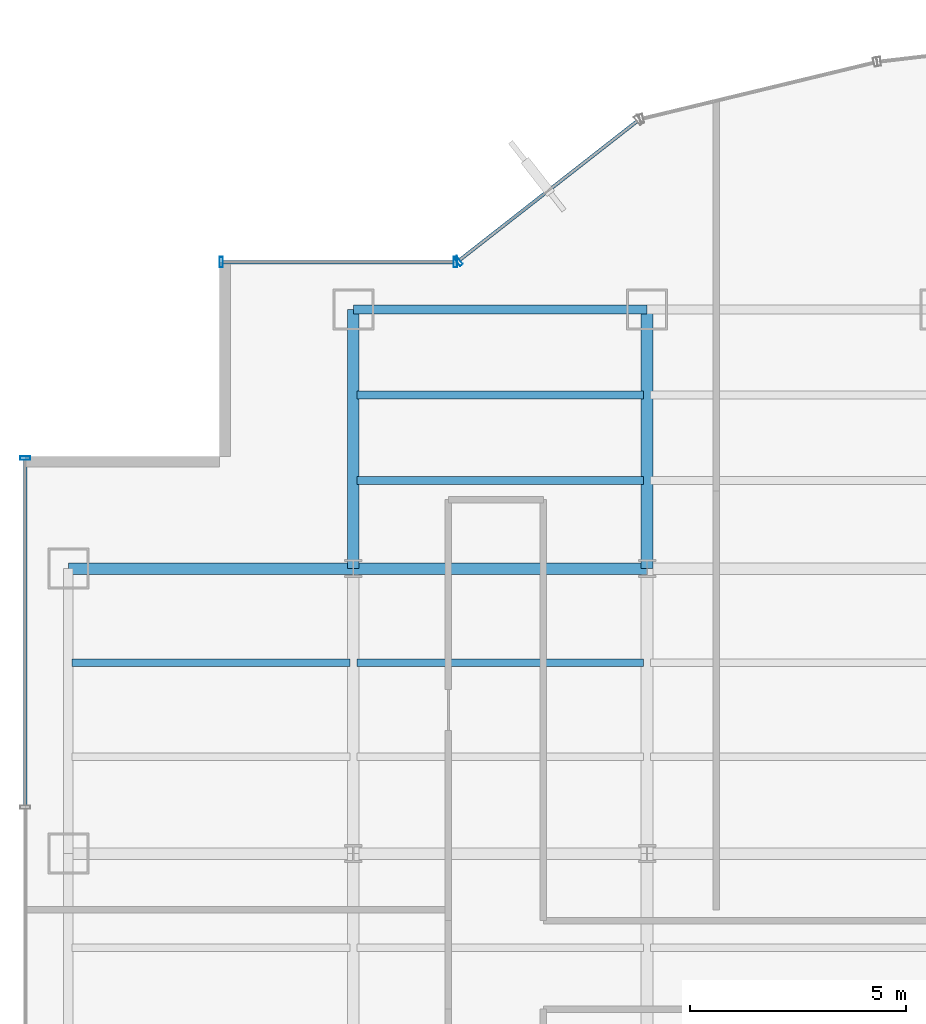
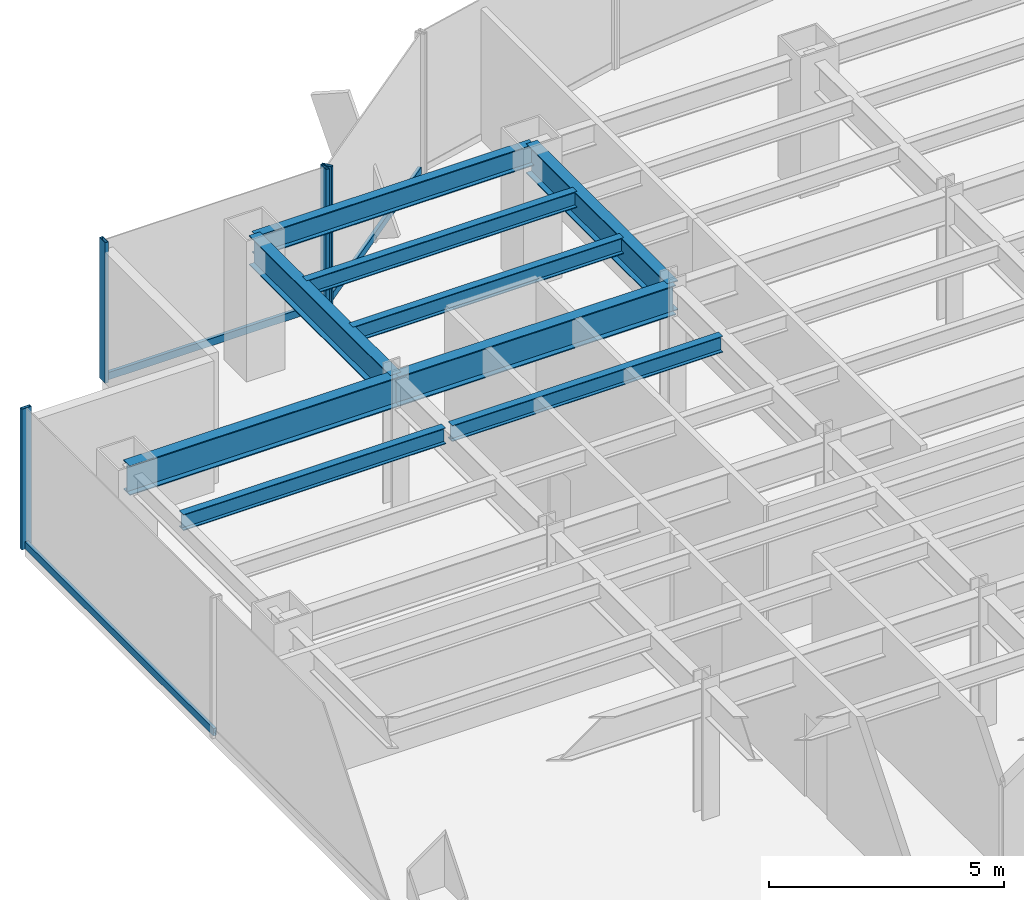
# One storey, part 10 of 23: 9 beams, 7 members, 3 elements without a shape of their own.
"""IFC4 building model written with IfcOpenShell, lengths in metres."""

import ifcopenshell
import ifcopenshell.guid

model = None  # the IFC model being written
_history = None  # IfcOwnerHistory: only IFC2X3 demands one
_inside = {}  # id of a spatial element -> (the spatial element, [elements in it])
_under = {}  # id of a project, library or spatial element -> (it, [spatial elements below it])
_declared = {}  # id of a project -> (the project, [libraries it declares])
_typed = {}  # id of a type object -> (the type object, [elements of that type])
_made_of = {}  # id of a material, layer set ... -> (it, [elements and type objects made of it])


def new_model(schema):
    """Start an empty IFC model of exactly this schema.

    Asked for "IFC4X3", IfcOpenShell would pick the latest addendum, in which some entities
    have other attributes; the version numbers below select the first issue.
    IFC2X3 requires an IfcOwnerHistory on every rooted entity: one is made here for all.
    """
    global model, _history
    if schema == "IFC4X3":
        model = ifcopenshell.file(schema_version=(4, 3, 0, 0))
    else:
        model = ifcopenshell.file(schema=schema)
    _inside.clear()
    _under.clear()
    _declared.clear()
    _typed.clear()
    _made_of.clear()
    _history = None
    if model.schema == "IFC2X3":
        org = make("IfcOrganization", Name="unknown")
        user = make(
            "IfcPersonAndOrganization",
            ThePerson=make("IfcPerson", FamilyName="unknown"),
            TheOrganization=org,
        )
        app = make(
            "IfcApplication",
            ApplicationDeveloper=org,
            Version="unknown",
            ApplicationFullName="unknown",
            ApplicationIdentifier="unknown",
        )
        _history = make(
            "IfcOwnerHistory",
            OwningUser=user,
            OwningApplication=app,
            ChangeAction="ADDED",
            CreationDate=0,
        )
    return model


def make(cls, **values):
    """One entity of the class cls with the attributes given. An attribute that is None is left unset."""
    return model.create_entity(
        cls, **{name: value for name, value in values.items() if value is not None}
    )


def rooted(cls, **values):
    """An entity with a GlobalId (a new one), such as an element, a storey or a relation."""
    return make(cls, GlobalId=ifcopenshell.guid.new(), OwnerHistory=_history, **values)


def si_unit(unit_type, name, prefix=None):
    """IfcSIUnit, for example si_unit("LENGTHUNIT", "METRE", prefix="MILLI")."""
    return make("IfcSIUnit", UnitType=unit_type, Prefix=prefix, Name=name)


def derived_unit(unit_type, elements):
    """IfcDerivedUnit: a product of units, each with its exponent."""
    return make(
        "IfcDerivedUnit",
        Elements=[
            make("IfcDerivedUnitElement", Unit=unit, Exponent=power)
            for unit, power in elements
        ],
        UnitType=unit_type,
    )


def assignment(units):
    """IfcUnitAssignment: the units of a project."""
    return None if units is None else make("IfcUnitAssignment", Units=units)


def point(xyz):
    """IfcCartesianPoint."""
    return None if xyz is None else make("IfcCartesianPoint", Coordinates=xyz)


def direction(xyz):
    """IfcDirection."""
    return None if xyz is None else make("IfcDirection", DirectionRatios=xyz)


def frame(location, z_axis=None, x_axis=None):
    """IfcAxis2Placement3D, a coordinate frame: its origin and axes. An axis left out is left unset."""
    return make(
        "IfcAxis2Placement3D",
        Location=point(location),
        Axis=direction(z_axis),
        RefDirection=direction(x_axis),
    )


def frame_2d(location, x_axis=None):
    """IfcAxis2Placement2D, a coordinate frame in the plane: its origin and x axis."""
    return make(
        "IfcAxis2Placement2D", Location=point(location), RefDirection=direction(x_axis)
    )


def origin():
    """The frame at (0, 0, 0) with its axes left unset."""
    return frame((0.0, 0.0, 0.0))


def origin_2d():
    """The frame at (0, 0) in the plane with its x axis left unset."""
    return frame_2d((0.0, 0.0))


def place(relative_to, where):
    """IfcLocalPlacement: puts the frame where relative to a parent placement (None: the world)."""
    return make(
        "IfcLocalPlacement", PlacementRelTo=relative_to, RelativePlacement=where
    )


def context(
    kind, dimensions, precision=None, world=None, true_north=None, identifier=None
):
    """IfcGeometricRepresentationContext, for example the 3D "Model" context."""
    return make(
        "IfcGeometricRepresentationContext",
        ContextIdentifier=identifier,
        ContextType=kind,
        CoordinateSpaceDimension=dimensions,
        Precision=precision,
        WorldCoordinateSystem=world,
        TrueNorth=true_north,
    )


def subcontext(parent, identifier, kind, view, scale=None):
    """IfcGeometricRepresentationSubContext, for example "Body" below "Model"."""
    return make(
        "IfcGeometricRepresentationSubContext",
        ContextIdentifier=identifier,
        ContextType=kind,
        ParentContext=parent,
        TargetScale=scale,
        TargetView=view,
    )


def project(units=None, contexts=None):
    """IfcProject with its units and contexts."""
    return rooted(
        "IfcProject",
        Name="project",
        RepresentationContexts=contexts,
        UnitsInContext=assignment(units),
    )


def spatial(cls, under=None, at=None, **own):
    """A site, building, storey or space (cls), placed at a placement, below another one or the project."""
    s = rooted(cls, ObjectPlacement=at, **own)
    if under is not None:
        _under.setdefault(under.id(), (under, []))[1].append(s)
    return s


def profile(cls, at=None, kind="AREA", **sizes):
    """A parametric profile (cls). Its sizes go by their IFC names, for example OverallWidth=200.0."""
    return make(cls, ProfileType=kind, Position=at, **sizes)


def hollow_rectangle(**sizes):
    """IfcRectangleHollowProfileDef."""
    return profile("IfcRectangleHollowProfileDef", **sizes)


def i_section(**sizes):
    """IfcIShapeProfileDef."""
    return profile("IfcIShapeProfileDef", **sizes)


def extrude(swept, where, along, depth):
    """IfcExtrudedAreaSolid: the profile swept, set in the frame where, extruded along a direction by depth."""
    return make(
        "IfcExtrudedAreaSolid",
        SweptArea=swept,
        Position=where,
        ExtrudedDirection=direction(along),
        Depth=depth,
    )


def shape(context_of_items, identifier, shape_type, items):
    """IfcShapeRepresentation: the items that make up one representation, for example the "Body"."""
    return make(
        "IfcShapeRepresentation",
        ContextOfItems=context_of_items,
        RepresentationIdentifier=identifier,
        RepresentationType=shape_type,
        Items=items,
    )


def source(mapping_origin, context_of_items, identifier, shape_type, items):
    """IfcRepresentationMap: a shape defined once, which mapped items show again and again."""
    return make(
        "IfcRepresentationMap",
        MappingOrigin=mapping_origin,
        MappedRepresentation=shape(context_of_items, identifier, shape_type, items),
    )


def transform(
    local_origin,
    x_axis=None,
    y_axis=None,
    z_axis=None,
    scale=None,
    scale2=None,
    scale3=None,
    uniform=True,
):
    """IfcCartesianTransformationOperator3D, or its non-uniform kind. x_axis, y_axis, z_axis: its Axis1, 2, 3."""
    if uniform:
        return make(
            "IfcCartesianTransformationOperator3D",
            Axis1=direction(x_axis),
            Axis2=direction(y_axis),
            LocalOrigin=point(local_origin),
            Scale=scale,
            Axis3=direction(z_axis),
        )
    return make(
        "IfcCartesianTransformationOperator3DnonUniform",
        Axis1=direction(x_axis),
        Axis2=direction(y_axis),
        LocalOrigin=point(local_origin),
        Scale=scale,
        Axis3=direction(z_axis),
        Scale2=scale2,
        Scale3=scale3,
    )


def mapped(mapping_source, mapping_target):
    """IfcMappedItem: shows the shape of a source again, moved by a transform."""
    return make(
        "IfcMappedItem", MappingSource=mapping_source, MappingTarget=mapping_target
    )


def material(Name=None, Category=None):
    """IfcMaterial."""
    return make("IfcMaterial", Name=Name, Category=Category)


def material_profile(
    of_material, cross_section, Name=None, Category=None, Priority=None
):
    """IfcMaterialProfile: a cross section and its material."""
    return make(
        "IfcMaterialProfile",
        Name=Name,
        Material=of_material,
        Profile=cross_section,
        Priority=Priority,
        Category=Category,
    )


def profile_set(profiles, Name=None, composite=None):
    """IfcMaterialProfileSet."""
    return make(
        "IfcMaterialProfileSet",
        Name=Name,
        MaterialProfiles=profiles,
        CompositeProfile=composite,
    )


def made_of(thing, what):
    """Note that an element or type object is made of a material, layer set ...; save() writes the relation."""
    if what is not None:
        _made_of.setdefault(what.id(), (what, []))[1].append(thing)
    return thing


def type_object(cls, material=None, **own):
    """A type object (cls), such as IfcWallType, which elements share."""
    return made_of(rooted(cls, **own), material)


def element(
    cls,
    number,
    at=None,
    inside=None,
    cuts=None,
    type_object=None,
    material=None,
    context=None,
    identifier="Body",
    shape_type=None,
    held_by="IfcProductDefinitionShape",
    body=None,
    shapes=None,
    **own,
):
    """One element of the class cls, such as IfcWall. Its Tag is "e" and its number.

    at: its placement. inside: the storey or other place that contains it. cuts: it is an
    opening in that element (IfcRelVoidsElement). A single representation is given by context,
    identifier, shape_type and body (its items); several are given by shapes. held_by: the class
    of the entity that holds the representations. save() writes the other relations.
    """
    e = rooted(cls, Tag="e%d" % number, ObjectPlacement=at, **own)
    if body is not None:
        shapes = [shape(context, identifier, shape_type, body)]
    if shapes is not None:
        e.Representation = make(held_by, Representations=shapes)
    if inside is not None:
        _inside.setdefault(inside.id(), (inside, []))[1].append(e)
    if cuts is not None:
        rooted(
            "IfcRelVoidsElement", RelatingBuildingElement=cuts, RelatedOpeningElement=e
        )
    if type_object is not None:
        _typed.setdefault(type_object.id(), (type_object, []))[1].append(e)
    return made_of(e, material)


def aggregate(whole, parts):
    """IfcRelAggregates: a whole, such as a stair, and the parts it consists of."""
    return rooted("IfcRelAggregates", RelatingObject=whole, RelatedObjects=parts)


def save(model, path):
    """Write the relations noted so far, then the file.

    IfcRelAggregates (storeys below a building ...), IfcRelContainedInSpatialStructure (elements
    in a storey), IfcRelDefinesByType, IfcRelAssociatesMaterial and IfcRelDeclares: one each for
    every whole, place, type object, material and project.
    """
    for whole, parts in _under.values():
        aggregate(whole, parts)
    for where, things in _inside.values():
        rooted(
            "IfcRelContainedInSpatialStructure",
            RelatedElements=things,
            RelatingStructure=where,
        )
    for kind, things in _typed.values():
        rooted("IfcRelDefinesByType", RelatedObjects=things, RelatingType=kind)
    for what, things in _made_of.values():
        rooted("IfcRelAssociatesMaterial", RelatedObjects=things, RelatingMaterial=what)
    for by, libraries in _declared.values():
        rooted("IfcRelDeclares", RelatingContext=by, RelatedDefinitions=libraries)
    model.write(path)


model = new_model("IFC4")

# Units and contexts
model_context = context("Model", 3, precision=1e-05, world=origin(), true_north=direction((0.0, 1.0)))
body_context = subcontext(model_context, "Body", "Model", "MODEL_VIEW")
ifc_project = project(units=[si_unit("LENGTHUNIT", "METRE"), si_unit("AREAUNIT", "SQUARE_METRE"), si_unit("VOLUMEUNIT", "CUBIC_METRE"), si_unit("PLANEANGLEUNIT", "RADIAN"), si_unit("MASSUNIT", "GRAM", prefix="KILO"), derived_unit("THERMALTRANSMITTANCEUNIT", [(si_unit("POWERUNIT", "WATT"), 1), (si_unit("LENGTHUNIT", "METRE"), -2), (si_unit("THERMODYNAMICTEMPERATUREUNIT", "KELVIN"), -1)])], contexts=[model_context])

# Site, building, storey
site_placement = place(None, origin())
site = spatial("IfcSite", under=ifc_project, at=site_placement, CompositionType="ELEMENT")
building_placement = place(site_placement, origin())
building = spatial("IfcBuilding", under=site, at=building_placement, Name="Skarnbrae Concourse Arena and Tower", CompositionType="ELEMENT")
storey_placement = place(building_placement, frame((0.0, 0.0, 43.449951171875)))
storey = spatial("IfcBuildingStorey", under=building, at=storey_placement, Name="L09", CompositionType="ELEMENT", Elevation=43.449951171875)

# Beams
ifc_material_1 = material(Name="Steel CSA G40.21 350W", Category="steel")
ifc_material_profile_1 = material_profile(ifc_material_1, i_section(OverallWidth=0.26806640625, OverallDepth=0.77001953125, WebThickness=0.015625, FlangeThickness=0.025390625, at=origin_2d()), Name="W760X196")
ifc_profile_set_1 = profile_set([ifc_material_profile_1], Name="Steel CSA G40.21 350W")
beam_type_1 = type_object("IfcBeamType", Name="BM-GIRD-W760X196", PredefinedType="BEAM", material=ifc_profile_set_1)
shared_shape_1 = source(origin(), body_context, "Body", "SweptSolid", [
    extrude(i_section(OverallWidth=0.26806640625, OverallDepth=0.77001953125, WebThickness=0.015625, FlangeThickness=0.025390625, at=origin_2d()), origin(), (0.0, 0.0, 1.0), 6.60009765625),
])
beam_1_placement = place(storey_placement, frame((1.0, 34.39990234375, 3.01513671875), z_axis=(1.0, 0.0, 0.0), x_axis=(0.0, 1.0, 0.0)))
element("IfcBeam", 1, at=beam_1_placement, inside=storey, type_object=beam_type_1, Name="L09 Primary E-W girder Y34.4-1", PredefinedType="BEAM", context=body_context, shape_type="MappedRepresentation", body=[
    mapped(shared_shape_1, transform((0.0, 0.0, 0.0))),
])
shared_shape_2 = source(origin(), body_context, "Body", "SweptSolid", [
    extrude(i_section(OverallWidth=0.26806640625, OverallDepth=0.77001953125, WebThickness=0.015625, FlangeThickness=0.025390625, at=origin_2d()), origin(), (0.0, 0.0, 1.0), 6.7998046875),
])
beam_2_placement = place(storey_placement, frame((7.60009765625, 34.39990234375, 3.01513671875), z_axis=(1.0, 0.0, 0.0), x_axis=(0.0, 1.0, 0.0)))
element("IfcBeam", 2, at=beam_2_placement, inside=storey, type_object=beam_type_1, Name="L09 Primary E-W girder Y34.4-2", PredefinedType="BEAM", context=body_context, shape_type="MappedRepresentation", body=[
    mapped(shared_shape_2, transform((0.0, 0.0, 0.0))),
])
shared_shape_3 = source(origin(), body_context, "Body", "SweptSolid", [
    extrude(i_section(OverallWidth=0.26806640625, OverallDepth=0.77001953125, WebThickness=0.015625, FlangeThickness=0.025390625, at=origin_2d()), origin(), (0.0, 0.0, 1.0), 6.0),
])
for number, where, z_axis, x_axis, name in (
    (3, (7.60009765625, 34.39990234375, 3.01513671875), (0.0, 1.0, 0.0), (-1.0, 0.0, 0.0), "L09 Primary N-S girder X7.6-4"),
    (4, (14.39990234375, 34.39990234375, 3.01513671875), (0.0, 1.0, 0.0), (-1.0, 0.0, 0.0), "L09 Primary N-S girder X14.4-4"),
):
    element("IfcBeam", number, at=place(storey_placement, frame(where, z_axis=z_axis, x_axis=x_axis)), inside=storey, type_object=beam_type_1, Name=name, PredefinedType="BEAM", context=body_context, shape_type="MappedRepresentation", body=[
        mapped(shared_shape_3, transform((0.0, 0.0, 0.0))),
    ])
ifc_material_profile_2 = material_profile(ifc_material_1, i_section(OverallWidth=0.214111328125, OverallDepth=0.549072265625, WebThickness=0.0146484375, FlangeThickness=0.023681640625, at=origin_2d()), Name="W530X138")
ifc_profile_set_2 = profile_set([ifc_material_profile_2], Name="Steel CSA G40.21 350W")
beam_type_2 = type_object("IfcBeamType", Name="BM-SPAN-W530X138", PredefinedType="SPANDREL", material=ifc_profile_set_2)
shared_shape_4 = source(origin(), body_context, "Body", "SweptSolid", [
    extrude(i_section(OverallWidth=0.214111328125, OverallDepth=0.549072265625, WebThickness=0.0146484375, FlangeThickness=0.023681640625, at=origin_2d()), origin(), (0.0, 0.0, 1.0), 6.7998046875),
])
beam_3_placement = place(storey_placement, frame((7.60009765625, 40.39990234375, 3.12548828125), z_axis=(1.0, 0.0, 0.0), x_axis=(0.0, 1.0, 0.0)))
element("IfcBeam", 5, at=beam_3_placement, inside=storey, type_object=beam_type_2, Name="L09 Perimeter spandrel Y40.4-1", PredefinedType="SPANDREL", context=body_context, shape_type="MappedRepresentation", body=[
    mapped(shared_shape_4, transform((0.0, 0.0, 0.0))),
])
ifc_material_profile_3 = material_profile(ifc_material_1, i_section(OverallWidth=0.180908203125, OverallDepth=0.4169921875, WebThickness=0.010986328125, FlangeThickness=0.018310546875, at=origin_2d()), Name="W410X85")
ifc_profile_set_3 = profile_set([ifc_material_profile_3], Name="Steel CSA G40.21 350W")
beam_type_3 = type_object("IfcBeamType", Name="BM-JOIST-W410X85", PredefinedType="JOIST", material=ifc_profile_set_3)
shared_shape_5 = source(origin(), body_context, "Body", "SweptSolid", [
    extrude(i_section(OverallWidth=0.180908203125, OverallDepth=0.4169921875, WebThickness=0.010986328125, FlangeThickness=0.018310546875, at=origin_2d()), origin(), (0.0, 0.0, 1.0), 6.43994140625),
])
beam_4_placement = place(storey_placement, frame((1.080078125, 32.221923828125, 3.191650390625), z_axis=(1.0, 0.0, 0.0), x_axis=(0.0, 1.0, 0.0)))
element("IfcBeam", 6, at=beam_4_placement, inside=storey, type_object=beam_type_3, Name="L09 Secondary floor joist 3.2.1", PredefinedType="JOIST", context=body_context, shape_type="MappedRepresentation", body=[
    mapped(shared_shape_5, transform((0.0, 0.0, 0.0))),
])
shared_shape_6 = source(origin(), body_context, "Body", "SweptSolid", [
    extrude(i_section(OverallWidth=0.180908203125, OverallDepth=0.4169921875, WebThickness=0.010986328125, FlangeThickness=0.018310546875, at=origin_2d()), origin(), (0.0, 0.0, 1.0), 6.64013671875),
])
for number, where, z_axis, x_axis, name in (
    (7, (7.679931640625, 32.221923828125, 3.191650390625), (1.0, 0.0, 0.0), (0.0, 1.0, 0.0), "L09 Secondary floor joist 3.2.2"),
    (8, (7.679931640625, 36.43994140625, 3.191650390625), (1.0, 0.0, 0.0), (0.0, 1.0, 0.0), "L09 Secondary floor joist 4.1.1"),
    (9, (7.679931640625, 38.419921875, 3.191650390625), (1.0, 0.0, 0.0), (0.0, 1.0, 0.0), "L09 Secondary floor joist 4.2.1"),
):
    element("IfcBeam", number, at=place(storey_placement, frame(where, z_axis=z_axis, x_axis=x_axis)), inside=storey, type_object=beam_type_3, Name=name, PredefinedType="JOIST", context=body_context, shape_type="MappedRepresentation", body=[
        mapped(shared_shape_6, transform((0.0, 0.0, 0.0))),
    ])

# Curtain wall, member
ifc_material_2 = material(Name="Bronze anodised aluminium 6063-T6", Category="aluminium")
curtain_wall_type = type_object("IfcCurtainWallType", Name="CW-SYS-02-LOWZONE", PredefinedType="USERDEFINED", material=ifc_material_2)
curtain_wall_1_placement = place(storey_placement, origin())
curtain_wall_1 = element("IfcCurtainWall", 10, at=curtain_wall_1_placement, inside=storey, type_object=curtain_wall_type, Name="L09 Unitised curtain wall CW-L09-E16", ObjectType="UNITISED CURTAIN WALL", PredefinedType="USERDEFINED")
ifc_material_profile_4 = material_profile(ifc_material_2, hollow_rectangle(XDim=0.080078125, YDim=0.18994140625, WallThickness=0.0048828125, at=origin_2d()), Name="ALU-TRAN-80X190")
ifc_profile_set_4 = profile_set([ifc_material_profile_4], Name="Bronze anodised aluminium 6063-T6")
member_type_1 = type_object("IfcMemberType", Name="CWT-CW-02", PredefinedType="USERDEFINED", material=ifc_profile_set_4)
shared_shape_7 = source(origin(), body_context, "Body", "SweptSolid", [
    extrude(hollow_rectangle(XDim=0.080078125, YDim=0.18994140625, WallThickness=0.0048828125, at=origin_2d()), origin(), (0.0, 0.0, 1.0), 5.33984375),
])
member_1_placement = place(storey_placement, frame((9.919921875, 41.5, 0.094970703125), z_axis=(-1.0, 0.0, 0.0), x_axis=(0.0, -1.0, 0.0)))
member_1 = element("IfcMember", 11, at=member_1_placement, type_object=member_type_1, Name="CW-L09-E16 Transom 1", ObjectType="TRANSOM", PredefinedType="USERDEFINED", context=body_context, shape_type="MappedRepresentation", body=[
    mapped(shared_shape_7, transform((0.0, 0.0, 0.0))),
])

curtain_wall_2_placement = place(storey_placement, origin())
curtain_wall_2 = element("IfcCurtainWall", 12, at=curtain_wall_2_placement, inside=storey, type_object=curtain_wall_type, Name="L09 Unitised curtain wall CW-L09-E15", ObjectType="UNITISED CURTAIN WALL", PredefinedType="USERDEFINED")
shared_shape_8 = source(origin(), body_context, "Body", "SweptSolid", [
    extrude(hollow_rectangle(XDim=0.080078125, YDim=0.18994140625, WallThickness=0.0048828125, at=origin_2d()), origin(), (0.0, 0.0, 1.0), 5.215087890625),
])
member_2_placement = place(storey_placement, frame((14.170654296875, 44.762451171875, 0.094970703125), z_axis=(-0.787650196702, -0.616122688784, 0.0), x_axis=(0.616122688784, -0.787650196702, 0.0)))
member_2 = element("IfcMember", 13, at=member_2_placement, type_object=member_type_1, Name="CW-L09-E15 Transom 1", ObjectType="TRANSOM", PredefinedType="USERDEFINED", context=body_context, shape_type="MappedRepresentation", body=[
    mapped(shared_shape_8, transform((0.0, 0.0, 0.0))),
])

curtain_wall_3_placement = place(storey_placement, origin())
curtain_wall_3 = element("IfcCurtainWall", 14, at=curtain_wall_3_placement, inside=storey, type_object=curtain_wall_type, Name="L09 Unitised curtain wall CW-L09-E19", ObjectType="UNITISED CURTAIN WALL", PredefinedType="USERDEFINED")
shared_shape_9 = source(origin(), body_context, "Body", "SweptSolid", [
    extrude(hollow_rectangle(XDim=0.080078125, YDim=0.18994140625, WallThickness=0.0048828125, at=origin_2d()), origin(), (0.0, 0.0, 1.0), 8.0048828125),
])
member_3_placement = place(storey_placement, frame((0.0, 36.919921875, 0.094970703125), z_axis=(0.0, -1.0, 0.0), x_axis=(1.0, 0.0, 0.0)))
member_3 = element("IfcMember", 15, at=member_3_placement, type_object=member_type_1, Name="CW-L09-E19 Transom 1", ObjectType="TRANSOM", PredefinedType="USERDEFINED", context=body_context, shape_type="MappedRepresentation", body=[
    mapped(shared_shape_9, transform((0.0, 0.0, 0.0))),
])

# Member
ifc_material_profile_5 = material_profile(ifc_material_2, hollow_rectangle(XDim=0.080078125, YDim=0.239990234375, WallThickness=0.0048828125, at=origin_2d()), Name="ALU-MULL-80X240")
ifc_profile_set_5 = profile_set([ifc_material_profile_5], Name="Bronze anodised aluminium 6063-T6")
member_type_2 = type_object("IfcMemberType", Name="CWM-CW-02", PredefinedType="MULLION", material=ifc_profile_set_5)
shared_shape_10 = source(origin(), body_context, "Body", "SweptSolid", [
    extrude(hollow_rectangle(XDim=0.080078125, YDim=0.239990234375, WallThickness=0.0048828125, at=origin_2d()), origin(), (0.0, 0.0, 1.0), 3.650146484375),
])
member_4_placement = place(storey_placement, frame((10.031494140625, 41.524658203125, 0.0), z_axis=(0.0, 0.0, 1.0), x_axis=(-0.787651726054, -0.616120733658, 0.0)))
member_4 = element("IfcMember", 16, at=member_4_placement, type_object=member_type_2, Name="CW-L09-E15 Mullion 2", PredefinedType="MULLION", context=body_context, shape_type="MappedRepresentation", body=[
    mapped(shared_shape_10, transform((0.0, 0.0, 0.0))),
])

aggregate(curtain_wall_2, [member_4, member_2])

member_5_placement = place(storey_placement, frame((9.9599609375, 41.5, 0.0), z_axis=(0.0, 0.0, 1.0), x_axis=(-1.0, 0.0, 0.0)))
member_5 = element("IfcMember", 17, at=member_5_placement, type_object=member_type_2, Name="CW-L09-E16 Mullion 1", PredefinedType="MULLION", context=body_context, shape_type="MappedRepresentation", body=[
    mapped(shared_shape_10, transform((0.0, 0.0, 0.0))),
])

member_6_placement = place(storey_placement, frame((4.5400390625, 41.5, 0.0), z_axis=(0.0, 0.0, 1.0), x_axis=(-1.0, 0.0, 0.0)))
member_6 = element("IfcMember", 18, at=member_6_placement, type_object=member_type_2, Name="CW-L09-E16 Mullion 2", PredefinedType="MULLION", context=body_context, shape_type="MappedRepresentation", body=[
    mapped(shared_shape_10, transform((0.0, 0.0, 0.0))),
])

aggregate(curtain_wall_1, [member_5, member_6, member_1])

member_7_placement = place(storey_placement, frame((0.0, 36.9599609375, 0.0), z_axis=(0.0, 0.0, 1.0), x_axis=(0.0, -1.0, 0.0)))
member_7 = element("IfcMember", 19, at=member_7_placement, type_object=member_type_2, Name="CW-L09-E19 Mullion 1", PredefinedType="MULLION", context=body_context, shape_type="MappedRepresentation", body=[
    mapped(shared_shape_10, transform((0.0, 0.0, 0.0))),
])

aggregate(curtain_wall_3, [member_7, member_3])

save(model, "model.ifc")
